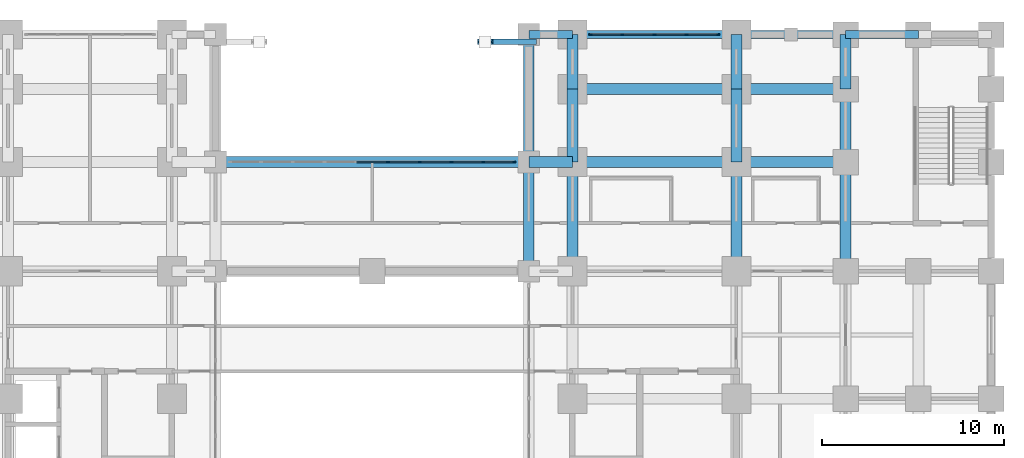
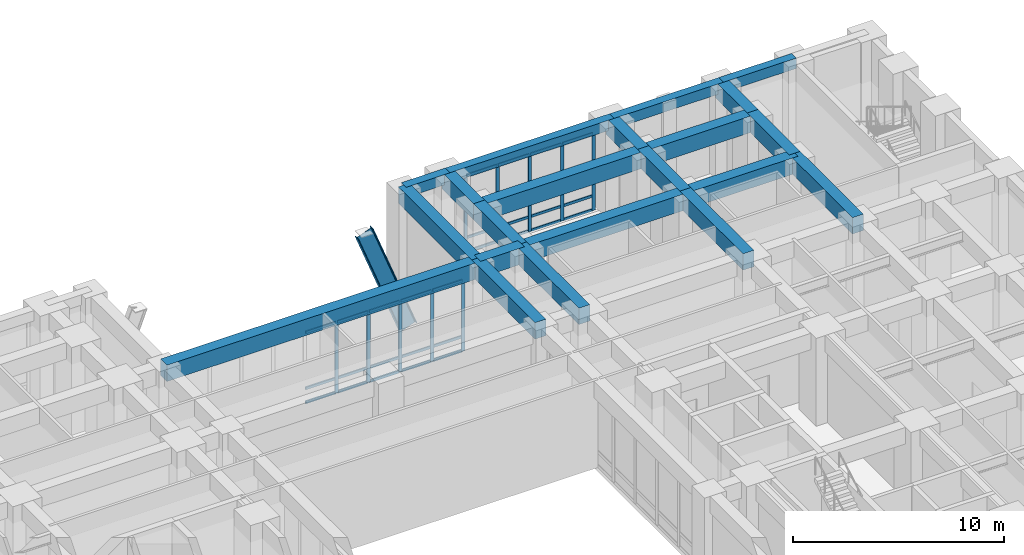
# One storey, part 7 of 23: 38 members, 21 beams, 2 elements without a shape of their own.
"""IFC4 building model written with IfcOpenShell, lengths in metres."""

from ifc_helpers import new_model, si_unit, direction, frame, origin, origin_2d, place, context, subcontext, project, spatial, rectangle, i_section, extrude, material, material_profile, profile_set, type_object, element, aggregate, save


model = new_model("IFC4")

# Units and contexts
model_context = context("Model", 3, precision=1e-05, world=origin(), true_north=direction((0.0, 1.0)))
body_context = subcontext(model_context, "Body", "Model", "MODEL_VIEW")
ifc_project = project(units=[si_unit("LENGTHUNIT", "METRE"), si_unit("AREAUNIT", "SQUARE_METRE"), si_unit("VOLUMEUNIT", "CUBIC_METRE"), si_unit("PLANEANGLEUNIT", "RADIAN"), si_unit("MASSUNIT", "GRAM", prefix="KILO")], contexts=[model_context])

# Site, building, storey
site_placement = place(None, origin())
site = spatial("IfcSite", under=ifc_project, at=site_placement, CompositionType="ELEMENT")
building_placement = place(site_placement, origin())
building = spatial("IfcBuilding", under=site, at=building_placement, Name="Zulmaris Gate Convention Tower", CompositionType="ELEMENT")
storey_placement = place(building_placement, frame((0.0, 0.0, 10.8798828125)))
storey = spatial("IfcBuildingStorey", under=building, at=storey_placement, Name="L02", CompositionType="ELEMENT", Elevation=10.8798828125)

# Beams
ifc_material_1 = material(Name="Concrete C60/75", Category="concrete")
ifc_material_profile_1 = material_profile(ifc_material_1, rectangle(XDim=0.60009765625, YDim=0.949951171875, at=origin_2d()), Name="RC BEAM 600x950")
ifc_profile_set_1 = profile_set([ifc_material_profile_1], Name="Concrete C60/75")
beam_type_1 = type_object("IfcBeamType", Name="BM-RC600x950", PredefinedType="BEAM", material=ifc_profile_set_1)
beam_1_placement = place(storey_placement, frame((-8.60009765625, 22.0, 4.615234375), z_axis=(1.0, 0.0, 0.0), x_axis=(0.0, 1.0, 0.0)))
element("IfcBeam", 1, at=beam_1_placement, inside=storey, type_object=beam_type_1, Name="L02 Beam BM-L02-X-+22.0--8.6", PredefinedType="BEAM", context=body_context, shape_type="SweptSolid", body=[
    extrude(rectangle(XDim=0.60009765625, YDim=0.949951171875, at=origin_2d()), origin(), (0.0, 0.0, 1.0), 17.2001953125),
])
beam_2_placement = place(storey_placement, frame((8.60009765625, 22.0, 4.615234375), z_axis=(1.0, 0.0, 0.0), x_axis=(0.0, 1.0, 0.0)))
element("IfcBeam", 2, at=beam_2_placement, inside=storey, type_object=beam_type_1, Name="L02 Beam BM-L02-X-+22.0-+8.6", PredefinedType="BEAM", context=body_context, shape_type="SweptSolid", body=[
    extrude(rectangle(XDim=0.60009765625, YDim=0.949951171875, at=origin_2d()), origin(), (0.0, 0.0, 1.0), 2.39990234375),
])
beam_3_placement = place(storey_placement, frame((11.0, 22.0, 4.615234375), z_axis=(1.0, 0.0, 0.0), x_axis=(0.0, 1.0, 0.0)))
element("IfcBeam", 3, at=beam_3_placement, inside=storey, type_object=beam_type_1, Name="L02 Beam BM-L02-X-+22.0-+11.0", PredefinedType="BEAM", context=body_context, shape_type="SweptSolid", body=[
    extrude(rectangle(XDim=0.60009765625, YDim=0.949951171875, at=origin_2d()), origin(), (0.0, 0.0, 1.0), 9.0),
])
beam_4_placement = place(storey_placement, frame((20.0, 22.0, 4.615234375), z_axis=(1.0, 0.0, 0.0), x_axis=(0.0, 1.0, 0.0)))
element("IfcBeam", 4, at=beam_4_placement, inside=storey, type_object=beam_type_1, Name="L02 Beam BM-L02-X-+22.0-+20.0", PredefinedType="BEAM", context=body_context, shape_type="SweptSolid", body=[
    extrude(rectangle(XDim=0.60009765625, YDim=0.949951171875, at=origin_2d()), origin(), (0.0, 0.0, 1.0), 6.0),
])
beam_5_placement = place(storey_placement, frame((11.0, 26.0, 4.615234375), z_axis=(1.0, 0.0, 0.0), x_axis=(0.0, 1.0, 0.0)))
element("IfcBeam", 5, at=beam_5_placement, inside=storey, type_object=beam_type_1, Name="L02 Beam BM-L02-X-+26.0-+11.0", PredefinedType="BEAM", context=body_context, shape_type="SweptSolid", body=[
    extrude(rectangle(XDim=0.60009765625, YDim=0.949951171875, at=origin_2d()), origin(), (0.0, 0.0, 1.0), 9.0),
])
for number, where, z_axis, x_axis, name in (
    (6, (20.0, 26.0, 4.615234375), (1.0, 0.0, 0.0), (0.0, 1.0, 0.0), "L02 Beam BM-L02-X-+26.0-+20.0"),
    (7, (8.60009765625, 16.0, 4.615234375), (0.0, 1.0, 0.0), (-1.0, 0.0, 0.0), "L02 Beam BM-L02-Y-+8.6-+16.0"),
):
    element("IfcBeam", number, at=place(storey_placement, frame(where, z_axis=z_axis, x_axis=x_axis)), inside=storey, type_object=beam_type_1, Name=name, PredefinedType="BEAM", context=body_context, shape_type="SweptSolid", body=[
        extrude(rectangle(XDim=0.60009765625, YDim=0.949951171875, at=origin_2d()), origin(), (0.0, 0.0, 1.0), 6.0),
    ])
beam_6_placement = place(storey_placement, frame((8.60009765625, 22.0, 4.615234375), z_axis=(0.0, 1.0, 0.0), x_axis=(-1.0, 0.0, 0.0)))
element("IfcBeam", 8, at=beam_6_placement, inside=storey, type_object=beam_type_1, Name="L02 Beam BM-L02-Y-+8.6-+22.0", PredefinedType="BEAM", context=body_context, shape_type="SweptSolid", body=[
    extrude(rectangle(XDim=0.60009765625, YDim=0.949951171875, at=origin_2d()), origin(), (0.0, 0.0, 1.0), 7.0),
])
beam_7_placement = place(storey_placement, frame((11.0, 16.0, 4.615234375), z_axis=(0.0, 1.0, 0.0), x_axis=(-1.0, 0.0, 0.0)))
element("IfcBeam", 9, at=beam_7_placement, inside=storey, type_object=beam_type_1, Name="L02 Beam BM-L02-Y-+11.0-+16.0", PredefinedType="BEAM", context=body_context, shape_type="SweptSolid", body=[
    extrude(rectangle(XDim=0.60009765625, YDim=0.949951171875, at=origin_2d()), origin(), (0.0, 0.0, 1.0), 6.0),
])
beam_8_placement = place(storey_placement, frame((11.0, 22.0, 4.615234375), z_axis=(0.0, 1.0, 0.0), x_axis=(-1.0, 0.0, 0.0)))
element("IfcBeam", 10, at=beam_8_placement, inside=storey, type_object=beam_type_1, Name="L02 Beam BM-L02-Y-+11.0-+22.0", PredefinedType="BEAM", context=body_context, shape_type="SweptSolid", body=[
    extrude(rectangle(XDim=0.60009765625, YDim=0.949951171875, at=origin_2d()), origin(), (0.0, 0.0, 1.0), 4.0),
])
beam_9_placement = place(storey_placement, frame((11.0, 26.0, 4.615234375), z_axis=(0.0, 1.0, 0.0), x_axis=(-1.0, 0.0, 0.0)))
element("IfcBeam", 11, at=beam_9_placement, inside=storey, type_object=beam_type_1, Name="L02 Beam BM-L02-Y-+11.0-+26.0", PredefinedType="BEAM", context=body_context, shape_type="SweptSolid", body=[
    extrude(rectangle(XDim=0.60009765625, YDim=0.949951171875, at=origin_2d()), origin(), (0.0, 0.0, 1.0), 3.0),
])
beam_10_placement = place(storey_placement, frame((20.0, 16.0, 4.615234375), z_axis=(0.0, 1.0, 0.0), x_axis=(-1.0, 0.0, 0.0)))
element("IfcBeam", 12, at=beam_10_placement, inside=storey, type_object=beam_type_1, Name="L02 Beam BM-L02-Y-+20.0-+16.0", PredefinedType="BEAM", context=body_context, shape_type="SweptSolid", body=[
    extrude(rectangle(XDim=0.60009765625, YDim=0.949951171875, at=origin_2d()), origin(), (0.0, 0.0, 1.0), 6.0),
])
beam_11_placement = place(storey_placement, frame((20.0, 22.0, 4.615234375), z_axis=(0.0, 1.0, 0.0), x_axis=(-1.0, 0.0, 0.0)))
element("IfcBeam", 13, at=beam_11_placement, inside=storey, type_object=beam_type_1, Name="L02 Beam BM-L02-Y-+20.0-+22.0", PredefinedType="BEAM", context=body_context, shape_type="SweptSolid", body=[
    extrude(rectangle(XDim=0.60009765625, YDim=0.949951171875, at=origin_2d()), origin(), (0.0, 0.0, 1.0), 4.0),
])
beam_12_placement = place(storey_placement, frame((20.0, 26.0, 4.615234375), z_axis=(0.0, 1.0, 0.0), x_axis=(-1.0, 0.0, 0.0)))
element("IfcBeam", 14, at=beam_12_placement, inside=storey, type_object=beam_type_1, Name="L02 Beam BM-L02-Y-+20.0-+26.0", PredefinedType="BEAM", context=body_context, shape_type="SweptSolid", body=[
    extrude(rectangle(XDim=0.60009765625, YDim=0.949951171875, at=origin_2d()), origin(), (0.0, 0.0, 1.0), 3.0),
])
beam_13_placement = place(storey_placement, frame((26.0, 16.0, 4.615234375), z_axis=(0.0, 1.0, 0.0), x_axis=(-1.0, 0.0, 0.0)))
element("IfcBeam", 15, at=beam_13_placement, inside=storey, type_object=beam_type_1, Name="L02 Beam BM-L02-Y-+26.0-+16.0", PredefinedType="BEAM", context=body_context, shape_type="SweptSolid", body=[
    extrude(rectangle(XDim=0.60009765625, YDim=0.949951171875, at=origin_2d()), origin(), (0.0, 0.0, 1.0), 6.0),
])
beam_14_placement = place(storey_placement, frame((26.0, 22.0, 4.615234375), z_axis=(0.0, 1.0, 0.0), x_axis=(-1.0, 0.0, 0.0)))
element("IfcBeam", 16, at=beam_14_placement, inside=storey, type_object=beam_type_1, Name="L02 Beam BM-L02-Y-+26.0-+22.0", PredefinedType="BEAM", context=body_context, shape_type="SweptSolid", body=[
    extrude(rectangle(XDim=0.60009765625, YDim=0.949951171875, at=origin_2d()), origin(), (0.0, 0.0, 1.0), 4.0),
])
beam_15_placement = place(storey_placement, frame((26.0, 26.0, 4.615234375), z_axis=(0.0, 1.0, 0.0), x_axis=(-1.0, 0.0, 0.0)))
element("IfcBeam", 17, at=beam_15_placement, inside=storey, type_object=beam_type_1, Name="L02 Beam BM-L02-Y-+26.0-+26.0", PredefinedType="BEAM", context=body_context, shape_type="SweptSolid", body=[
    extrude(rectangle(XDim=0.60009765625, YDim=0.949951171875, at=origin_2d()), origin(), (0.0, 0.0, 1.0), 3.0),
])
ifc_material_2 = material(Name="Precast concrete C50/60", Category="concrete")
ifc_material_profile_2 = material_profile(ifc_material_2, rectangle(XDim=0.449951171875, YDim=0.60009765625, at=origin_2d()), Name="RC SPANDREL 450x600")
ifc_profile_set_2 = profile_set([ifc_material_profile_2], Name="Precast concrete C50/60")
beam_type_2 = type_object("IfcBeamType", Name="BM-SP450x600", PredefinedType="SPANDREL", material=ifc_profile_set_2)
beam_16_placement = place(storey_placement, frame((8.60009765625, 29.0, 4.790283203125), z_axis=(1.0, 0.0, 0.0), x_axis=(0.0, 1.0, 0.0)))
element("IfcBeam", 18, at=beam_16_placement, inside=storey, type_object=beam_type_2, Name="L02 Spandrel BM-L02-X-+29.0-+8.6", PredefinedType="SPANDREL", context=body_context, shape_type="SweptSolid", body=[
    extrude(rectangle(XDim=0.449951171875, YDim=0.60009765625, at=origin_2d()), origin(), (0.0, 0.0, 1.0), 2.39990234375),
])
beam_17_placement = place(storey_placement, frame((11.0, 29.0, 4.790283203125), z_axis=(1.0, 0.0, 0.0), x_axis=(0.0, 1.0, 0.0)))
element("IfcBeam", 19, at=beam_17_placement, inside=storey, type_object=beam_type_2, Name="L02 Spandrel BM-L02-X-+29.0-+11.0", PredefinedType="SPANDREL", context=body_context, shape_type="SweptSolid", body=[
    extrude(rectangle(XDim=0.449951171875, YDim=0.60009765625, at=origin_2d()), origin(), (0.0, 0.0, 1.0), 9.0),
])
beam_18_placement = place(storey_placement, frame((20.0, 29.0, 4.790283203125), z_axis=(1.0, 0.0, 0.0), x_axis=(0.0, 1.0, 0.0)))
element("IfcBeam", 20, at=beam_18_placement, inside=storey, type_object=beam_type_2, Name="L02 Spandrel BM-L02-X-+29.0-+20.0", PredefinedType="SPANDREL", context=body_context, shape_type="SweptSolid", body=[
    extrude(rectangle(XDim=0.449951171875, YDim=0.60009765625, at=origin_2d()), origin(), (0.0, 0.0, 1.0), 6.0),
])
beam_19_placement = place(storey_placement, frame((26.0, 29.0, 4.790283203125), z_axis=(1.0, 0.0, 0.0), x_axis=(0.0, 1.0, 0.0)))
element("IfcBeam", 21, at=beam_19_placement, inside=storey, type_object=beam_type_2, Name="L02 Spandrel BM-L02-X-+29.0-+26.0", PredefinedType="SPANDREL", context=body_context, shape_type="SweptSolid", body=[
    extrude(rectangle(XDim=0.449951171875, YDim=0.60009765625, at=origin_2d()), origin(), (0.0, 0.0, 1.0), 4.0),
])

# Member
ifc_material_3 = material(Name="Steel S460", Category="steel")
ifc_material_profile_3 = material_profile(ifc_material_3, i_section(OverallWidth=0.302001953125, OverallDepth=0.909912109375, WebThickness=0.02099609375, FlangeThickness=0.0400390625, FilletRadius=0.030029296875, at=origin_2d()), Name="HEM 900")
ifc_profile_set_3 = profile_set([ifc_material_profile_3], Name="Steel S460")
member_type_1 = type_object("IfcMemberType", Name="CH-HEM900", PredefinedType="CHORD", material=ifc_profile_set_3)
member_1_placement = place(storey_placement, frame((6.199951171875, 28.60009765625, 3.420166015625), z_axis=(0.356011892382, 0.0, -0.934481424365), x_axis=(0.0, 1.0, 0.0)))
element("IfcMember", 22, at=member_1_placement, inside=storey, type_object=member_type_1, Name="Pishtaq Arch Rib N-6", PredefinedType="CHORD", context=body_context, shape_type="SweptSolid", body=[
    extrude(i_section(OverallWidth=0.302001953125, OverallDepth=0.909912109375, WebThickness=0.02099609375, FlangeThickness=0.0400390625, FilletRadius=0.030029296875, at=origin_2d()), origin(), (0.0, 0.0, 1.0), 6.74169921875),
])

# Curtain wall, members
ifc_material_4 = material(Name="Anodised Aluminium", Category="aluminium")
curtain_wall_type = type_object("IfcCurtainWallType", Name="CW-03", PredefinedType="NOTDEFINED", material=ifc_material_4)
curtain_wall_1_placement = place(storey_placement, origin())
curtain_wall_1 = element("IfcCurtainWall", 23, at=curtain_wall_1_placement, inside=storey, type_object=curtain_wall_type, Name="CW-03 CW03-L02-N11_0", PredefinedType="NOTDEFINED")
ifc_material_profile_4 = material_profile(ifc_material_4, rectangle(XDim=0.074951171875, YDim=0.179931640625, at=origin_2d()), Name="ALU MULLION 75x180")
ifc_profile_set_4 = profile_set([ifc_material_profile_4], Name="Anodised Aluminium")
member_type_2 = type_object("IfcMemberType", Name="CW-03-MULL", PredefinedType="MULLION", material=ifc_profile_set_4)
member_2_placement = place(storey_placement, frame((19.00244140625, 29.0, 0.0), z_axis=(0.0, 0.0, 1.0), x_axis=(0.0, -1.0, 0.0)))
member_2 = element("IfcMember", 24, at=member_2_placement, type_object=member_type_2, Name="CW-03 mullion 1", PredefinedType="MULLION", context=body_context, shape_type="SweptSolid", body=[
    extrude(rectangle(XDim=0.074951171875, YDim=0.179931640625, at=origin_2d()), origin(), (0.0, 0.0, 1.0), 4.482177734375),
])
member_3_placement = place(storey_placement, frame((17.27001953125, 29.0, 0.0), z_axis=(0.0, 0.0, 1.0), x_axis=(0.0, -1.0, 0.0)))
member_3 = element("IfcMember", 25, at=member_3_placement, type_object=member_type_2, Name="CW-03 mullion 2", PredefinedType="MULLION", context=body_context, shape_type="SweptSolid", body=[
    extrude(rectangle(XDim=0.074951171875, YDim=0.179931640625, at=origin_2d()), origin(), (0.0, 0.0, 1.0), 4.482177734375),
])
member_4_placement = place(storey_placement, frame((15.5, 29.0, 0.0), z_axis=(0.0, 0.0, 1.0), x_axis=(0.0, -1.0, 0.0)))
member_4 = element("IfcMember", 26, at=member_4_placement, type_object=member_type_2, Name="CW-03 mullion 3", PredefinedType="MULLION", context=body_context, shape_type="SweptSolid", body=[
    extrude(rectangle(XDim=0.074951171875, YDim=0.179931640625, at=origin_2d()), origin(), (0.0, 0.0, 1.0), 4.482177734375),
])
member_5_placement = place(storey_placement, frame((13.72998046875, 29.0, 0.0), z_axis=(0.0, 0.0, 1.0), x_axis=(0.0, -1.0, 0.0)))
member_5 = element("IfcMember", 27, at=member_5_placement, type_object=member_type_2, Name="CW-03 mullion 4", PredefinedType="MULLION", context=body_context, shape_type="SweptSolid", body=[
    extrude(rectangle(XDim=0.074951171875, YDim=0.179931640625, at=origin_2d()), origin(), (0.0, 0.0, 1.0), 4.482177734375),
])
member_6_placement = place(storey_placement, frame((11.99755859375, 29.0, 0.0), z_axis=(0.0, 0.0, 1.0), x_axis=(0.0, -1.0, 0.0)))
member_6 = element("IfcMember", 28, at=member_6_placement, type_object=member_type_2, Name="CW-03 mullion 5", PredefinedType="MULLION", context=body_context, shape_type="SweptSolid", body=[
    extrude(rectangle(XDim=0.074951171875, YDim=0.179931640625, at=origin_2d()), origin(), (0.0, 0.0, 1.0), 4.482177734375),
])

curtain_wall_2_placement = place(storey_placement, origin())
curtain_wall_2 = element("IfcCurtainWall", 29, at=curtain_wall_2_placement, inside=storey, type_object=curtain_wall_type, Name="CW-03 CW03-L02-NARCH_0", PredefinedType="NOTDEFINED")
member_7_placement = place(storey_placement, frame((7.802490234375, 22.0, 0.0), z_axis=(0.0, 0.0, 1.0), x_axis=(0.0, -1.0, 0.0)))
member_7 = element("IfcMember", 30, at=member_7_placement, type_object=member_type_2, Name="CW-03 mullion 1", PredefinedType="MULLION", context=body_context, shape_type="SweptSolid", body=[
    extrude(rectangle(XDim=0.074951171875, YDim=0.179931640625, at=origin_2d()), origin(), (0.0, 0.0, 1.0), 4.13232421875),
])
member_8_placement = place(storey_placement, frame((6.09765625, 22.0, 0.0), z_axis=(0.0, 0.0, 1.0), x_axis=(0.0, -1.0, 0.0)))
member_8 = element("IfcMember", 31, at=member_8_placement, type_object=member_type_2, Name="CW-03 mullion 2", PredefinedType="MULLION", context=body_context, shape_type="SweptSolid", body=[
    extrude(rectangle(XDim=0.074951171875, YDim=0.179931640625, at=origin_2d()), origin(), (0.0, 0.0, 1.0), 4.13232421875),
])
member_9_placement = place(storey_placement, frame((4.35546875, 22.0, 0.0), z_axis=(0.0, 0.0, 1.0), x_axis=(0.0, -1.0, 0.0)))
member_9 = element("IfcMember", 32, at=member_9_placement, type_object=member_type_2, Name="CW-03 mullion 3", PredefinedType="MULLION", context=body_context, shape_type="SweptSolid", body=[
    extrude(rectangle(XDim=0.074951171875, YDim=0.179931640625, at=origin_2d()), origin(), (0.0, 0.0, 1.0), 4.13232421875),
])
member_10_placement = place(storey_placement, frame((2.61328125, 22.0, 0.0), z_axis=(0.0, 0.0, 1.0), x_axis=(0.0, -1.0, 0.0)))
member_10 = element("IfcMember", 33, at=member_10_placement, type_object=member_type_2, Name="CW-03 mullion 4", PredefinedType="MULLION", context=body_context, shape_type="SweptSolid", body=[
    extrude(rectangle(XDim=0.074951171875, YDim=0.179931640625, at=origin_2d()), origin(), (0.0, 0.0, 1.0), 4.13232421875),
])
member_11_placement = place(storey_placement, frame((0.87109375, 22.0, 0.0), z_axis=(0.0, 0.0, 1.0), x_axis=(0.0, -1.0, 0.0)))
member_11 = element("IfcMember", 34, at=member_11_placement, type_object=member_type_2, Name="CW-03 mullion 5", PredefinedType="MULLION", context=body_context, shape_type="SweptSolid", body=[
    extrude(rectangle(XDim=0.074951171875, YDim=0.179931640625, at=origin_2d()), origin(), (0.0, 0.0, 1.0), 4.13232421875),
])

# Member
ifc_material_profile_5 = material_profile(ifc_material_4, rectangle(XDim=0.074951171875, YDim=0.14990234375, at=origin_2d()), Name="ALU TRANSOM 75x150")
ifc_profile_set_5 = profile_set([ifc_material_profile_5], Name="Anodised Aluminium")
member_type_3 = type_object("IfcMemberType", Name="CW-03-TRAN", PredefinedType="USERDEFINED", material=ifc_profile_set_5)
member_12_placement = place(storey_placement, frame((18.965087890625, 29.0, 0.03759765625), z_axis=(-1.0, 0.0, 0.0), x_axis=(0.0, -1.0, 0.0)))
member_12 = element("IfcMember", 35, at=member_12_placement, type_object=member_type_3, Name="CW-03 transom 1.1", ObjectType="TRANSOM", PredefinedType="USERDEFINED", context=body_context, shape_type="SweptSolid", body=[
    extrude(rectangle(XDim=0.074951171875, YDim=0.14990234375, at=origin_2d()), origin(), (0.0, 0.0, 1.0), 1.657470703125),
])

member_13_placement = place(storey_placement, frame((18.965087890625, 29.0, 0.85009765625), z_axis=(-1.0, 0.0, 0.0), x_axis=(0.0, -1.0, 0.0)))
member_13 = element("IfcMember", 36, at=member_13_placement, type_object=member_type_3, Name="CW-03 transom 1.2", ObjectType="TRANSOM", PredefinedType="USERDEFINED", context=body_context, shape_type="SweptSolid", body=[
    extrude(rectangle(XDim=0.074951171875, YDim=0.14990234375, at=origin_2d()), origin(), (0.0, 0.0, 1.0), 1.657470703125),
])

member_14_placement = place(storey_placement, frame((18.965087890625, 29.0, 4.44482421875), z_axis=(-1.0, 0.0, 0.0), x_axis=(0.0, -1.0, 0.0)))
member_14 = element("IfcMember", 37, at=member_14_placement, type_object=member_type_3, Name="CW-03 transom 1.3", ObjectType="TRANSOM", PredefinedType="USERDEFINED", context=body_context, shape_type="SweptSolid", body=[
    extrude(rectangle(XDim=0.074951171875, YDim=0.14990234375, at=origin_2d()), origin(), (0.0, 0.0, 1.0), 1.657470703125),
])

member_15_placement = place(storey_placement, frame((17.232421875, 29.0, 0.03759765625), z_axis=(-1.0, 0.0, 0.0), x_axis=(0.0, -1.0, 0.0)))
member_15 = element("IfcMember", 38, at=member_15_placement, type_object=member_type_3, Name="CW-03 transom 2.1", ObjectType="TRANSOM", PredefinedType="USERDEFINED", context=body_context, shape_type="SweptSolid", body=[
    extrude(rectangle(XDim=0.074951171875, YDim=0.14990234375, at=origin_2d()), origin(), (0.0, 0.0, 1.0), 1.69482421875),
])

member_16_placement = place(storey_placement, frame((17.232421875, 29.0, 0.85009765625), z_axis=(-1.0, 0.0, 0.0), x_axis=(0.0, -1.0, 0.0)))
member_16 = element("IfcMember", 39, at=member_16_placement, type_object=member_type_3, Name="CW-03 transom 2.2", ObjectType="TRANSOM", PredefinedType="USERDEFINED", context=body_context, shape_type="SweptSolid", body=[
    extrude(rectangle(XDim=0.074951171875, YDim=0.14990234375, at=origin_2d()), origin(), (0.0, 0.0, 1.0), 1.69482421875),
])

member_17_placement = place(storey_placement, frame((17.232421875, 29.0, 4.44482421875), z_axis=(-1.0, 0.0, 0.0), x_axis=(0.0, -1.0, 0.0)))
member_17 = element("IfcMember", 40, at=member_17_placement, type_object=member_type_3, Name="CW-03 transom 2.3", ObjectType="TRANSOM", PredefinedType="USERDEFINED", context=body_context, shape_type="SweptSolid", body=[
    extrude(rectangle(XDim=0.074951171875, YDim=0.14990234375, at=origin_2d()), origin(), (0.0, 0.0, 1.0), 1.69482421875),
])

member_18_placement = place(storey_placement, frame((15.46240234375, 29.0, 0.03759765625), z_axis=(-1.0, 0.0, 0.0), x_axis=(0.0, -1.0, 0.0)))
member_18 = element("IfcMember", 41, at=member_18_placement, type_object=member_type_3, Name="CW-03 transom 3.1", ObjectType="TRANSOM", PredefinedType="USERDEFINED", context=body_context, shape_type="SweptSolid", body=[
    extrude(rectangle(XDim=0.074951171875, YDim=0.14990234375, at=origin_2d()), origin(), (0.0, 0.0, 1.0), 1.69482421875),
])

member_19_placement = place(storey_placement, frame((15.46240234375, 29.0, 0.85009765625), z_axis=(-1.0, 0.0, 0.0), x_axis=(0.0, -1.0, 0.0)))
member_19 = element("IfcMember", 42, at=member_19_placement, type_object=member_type_3, Name="CW-03 transom 3.2", ObjectType="TRANSOM", PredefinedType="USERDEFINED", context=body_context, shape_type="SweptSolid", body=[
    extrude(rectangle(XDim=0.074951171875, YDim=0.14990234375, at=origin_2d()), origin(), (0.0, 0.0, 1.0), 1.69482421875),
])

member_20_placement = place(storey_placement, frame((15.46240234375, 29.0, 4.44482421875), z_axis=(-1.0, 0.0, 0.0), x_axis=(0.0, -1.0, 0.0)))
member_20 = element("IfcMember", 43, at=member_20_placement, type_object=member_type_3, Name="CW-03 transom 3.3", ObjectType="TRANSOM", PredefinedType="USERDEFINED", context=body_context, shape_type="SweptSolid", body=[
    extrude(rectangle(XDim=0.074951171875, YDim=0.14990234375, at=origin_2d()), origin(), (0.0, 0.0, 1.0), 1.69482421875),
])

member_21_placement = place(storey_placement, frame((13.6923828125, 29.0, 0.03759765625), z_axis=(-1.0, 0.0, 0.0), x_axis=(0.0, -1.0, 0.0)))
member_21 = element("IfcMember", 44, at=member_21_placement, type_object=member_type_3, Name="CW-03 transom 4.1", ObjectType="TRANSOM", PredefinedType="USERDEFINED", context=body_context, shape_type="SweptSolid", body=[
    extrude(rectangle(XDim=0.074951171875, YDim=0.14990234375, at=origin_2d()), origin(), (0.0, 0.0, 1.0), 1.657470703125),
])

member_22_placement = place(storey_placement, frame((13.6923828125, 29.0, 0.85009765625), z_axis=(-1.0, 0.0, 0.0), x_axis=(0.0, -1.0, 0.0)))
member_22 = element("IfcMember", 45, at=member_22_placement, type_object=member_type_3, Name="CW-03 transom 4.2", ObjectType="TRANSOM", PredefinedType="USERDEFINED", context=body_context, shape_type="SweptSolid", body=[
    extrude(rectangle(XDim=0.074951171875, YDim=0.14990234375, at=origin_2d()), origin(), (0.0, 0.0, 1.0), 1.657470703125),
])

member_23_placement = place(storey_placement, frame((13.6923828125, 29.0, 4.44482421875), z_axis=(-1.0, 0.0, 0.0), x_axis=(0.0, -1.0, 0.0)))
member_23 = element("IfcMember", 46, at=member_23_placement, type_object=member_type_3, Name="CW-03 transom 4.3", ObjectType="TRANSOM", PredefinedType="USERDEFINED", context=body_context, shape_type="SweptSolid", body=[
    extrude(rectangle(XDim=0.074951171875, YDim=0.14990234375, at=origin_2d()), origin(), (0.0, 0.0, 1.0), 1.657470703125),
])

aggregate(curtain_wall_1, [member_2, member_3, member_4, member_5, member_6, member_12, member_13, member_14, member_15, member_16, member_17, member_18, member_19, member_20, member_21, member_22, member_23])

member_24_placement = place(storey_placement, frame((7.764892578125, 22.0, 0.03759765625), z_axis=(-1.0, 0.0, 0.0), x_axis=(0.0, -1.0, 0.0)))
member_24 = element("IfcMember", 47, at=member_24_placement, type_object=member_type_3, Name="CW-03 transom 1.1", ObjectType="TRANSOM", PredefinedType="USERDEFINED", context=body_context, shape_type="SweptSolid", body=[
    extrude(rectangle(XDim=0.074951171875, YDim=0.14990234375, at=origin_2d()), origin(), (0.0, 0.0, 1.0), 1.629638671875),
])

member_25_placement = place(storey_placement, frame((7.764892578125, 22.0, 0.85009765625), z_axis=(-1.0, 0.0, 0.0), x_axis=(0.0, -1.0, 0.0)))
member_25 = element("IfcMember", 48, at=member_25_placement, type_object=member_type_3, Name="CW-03 transom 1.2", ObjectType="TRANSOM", PredefinedType="USERDEFINED", context=body_context, shape_type="SweptSolid", body=[
    extrude(rectangle(XDim=0.074951171875, YDim=0.14990234375, at=origin_2d()), origin(), (0.0, 0.0, 1.0), 1.629638671875),
])

member_26_placement = place(storey_placement, frame((7.764892578125, 22.0, 4.0947265625), z_axis=(-1.0, 0.0, 0.0), x_axis=(0.0, -1.0, 0.0)))
member_26 = element("IfcMember", 49, at=member_26_placement, type_object=member_type_3, Name="CW-03 transom 1.3", ObjectType="TRANSOM", PredefinedType="USERDEFINED", context=body_context, shape_type="SweptSolid", body=[
    extrude(rectangle(XDim=0.074951171875, YDim=0.14990234375, at=origin_2d()), origin(), (0.0, 0.0, 1.0), 1.629638671875),
])

member_27_placement = place(storey_placement, frame((6.060302734375, 22.0, 0.03759765625), z_axis=(-1.0, 0.0, 0.0), x_axis=(0.0, -1.0, 0.0)))
member_27 = element("IfcMember", 50, at=member_27_placement, type_object=member_type_3, Name="CW-03 transom 2.1", ObjectType="TRANSOM", PredefinedType="USERDEFINED", context=body_context, shape_type="SweptSolid", body=[
    extrude(rectangle(XDim=0.074951171875, YDim=0.14990234375, at=origin_2d()), origin(), (0.0, 0.0, 1.0), 1.667236328125),
])

member_28_placement = place(storey_placement, frame((6.060302734375, 22.0, 0.85009765625), z_axis=(-1.0, 0.0, 0.0), x_axis=(0.0, -1.0, 0.0)))
member_28 = element("IfcMember", 51, at=member_28_placement, type_object=member_type_3, Name="CW-03 transom 2.2", ObjectType="TRANSOM", PredefinedType="USERDEFINED", context=body_context, shape_type="SweptSolid", body=[
    extrude(rectangle(XDim=0.074951171875, YDim=0.14990234375, at=origin_2d()), origin(), (0.0, 0.0, 1.0), 1.667236328125),
])

member_29_placement = place(storey_placement, frame((6.060302734375, 22.0, 4.0947265625), z_axis=(-1.0, 0.0, 0.0), x_axis=(0.0, -1.0, 0.0)))
member_29 = element("IfcMember", 52, at=member_29_placement, type_object=member_type_3, Name="CW-03 transom 2.3", ObjectType="TRANSOM", PredefinedType="USERDEFINED", context=body_context, shape_type="SweptSolid", body=[
    extrude(rectangle(XDim=0.074951171875, YDim=0.14990234375, at=origin_2d()), origin(), (0.0, 0.0, 1.0), 1.667236328125),
])

member_30_placement = place(storey_placement, frame((4.318115234375, 22.0, 0.03759765625), z_axis=(-1.0, 0.0, 0.0), x_axis=(0.0, -1.0, 0.0)))
member_30 = element("IfcMember", 53, at=member_30_placement, type_object=member_type_3, Name="CW-03 transom 3.1", ObjectType="TRANSOM", PredefinedType="USERDEFINED", context=body_context, shape_type="SweptSolid", body=[
    extrude(rectangle(XDim=0.074951171875, YDim=0.14990234375, at=origin_2d()), origin(), (0.0, 0.0, 1.0), 1.667236328125),
])

member_31_placement = place(storey_placement, frame((4.318115234375, 22.0, 0.85009765625), z_axis=(-1.0, 0.0, 0.0), x_axis=(0.0, -1.0, 0.0)))
member_31 = element("IfcMember", 54, at=member_31_placement, type_object=member_type_3, Name="CW-03 transom 3.2", ObjectType="TRANSOM", PredefinedType="USERDEFINED", context=body_context, shape_type="SweptSolid", body=[
    extrude(rectangle(XDim=0.074951171875, YDim=0.14990234375, at=origin_2d()), origin(), (0.0, 0.0, 1.0), 1.667236328125),
])

member_32_placement = place(storey_placement, frame((4.318115234375, 22.0, 4.0947265625), z_axis=(-1.0, 0.0, 0.0), x_axis=(0.0, -1.0, 0.0)))
member_32 = element("IfcMember", 55, at=member_32_placement, type_object=member_type_3, Name="CW-03 transom 3.3", ObjectType="TRANSOM", PredefinedType="USERDEFINED", context=body_context, shape_type="SweptSolid", body=[
    extrude(rectangle(XDim=0.074951171875, YDim=0.14990234375, at=origin_2d()), origin(), (0.0, 0.0, 1.0), 1.667236328125),
])

member_33_placement = place(storey_placement, frame((2.575927734375, 22.0, 0.03759765625), z_axis=(-1.0, 0.0, 0.0), x_axis=(0.0, -1.0, 0.0)))
member_33 = element("IfcMember", 56, at=member_33_placement, type_object=member_type_3, Name="CW-03 transom 4.1", ObjectType="TRANSOM", PredefinedType="USERDEFINED", context=body_context, shape_type="SweptSolid", body=[
    extrude(rectangle(XDim=0.074951171875, YDim=0.14990234375, at=origin_2d()), origin(), (0.0, 0.0, 1.0), 1.667236328125),
])

member_34_placement = place(storey_placement, frame((2.575927734375, 22.0, 0.85009765625), z_axis=(-1.0, 0.0, 0.0), x_axis=(0.0, -1.0, 0.0)))
member_34 = element("IfcMember", 57, at=member_34_placement, type_object=member_type_3, Name="CW-03 transom 4.2", ObjectType="TRANSOM", PredefinedType="USERDEFINED", context=body_context, shape_type="SweptSolid", body=[
    extrude(rectangle(XDim=0.074951171875, YDim=0.14990234375, at=origin_2d()), origin(), (0.0, 0.0, 1.0), 1.667236328125),
])

member_35_placement = place(storey_placement, frame((2.575927734375, 22.0, 4.0947265625), z_axis=(-1.0, 0.0, 0.0), x_axis=(0.0, -1.0, 0.0)))
member_35 = element("IfcMember", 58, at=member_35_placement, type_object=member_type_3, Name="CW-03 transom 4.3", ObjectType="TRANSOM", PredefinedType="USERDEFINED", context=body_context, shape_type="SweptSolid", body=[
    extrude(rectangle(XDim=0.074951171875, YDim=0.14990234375, at=origin_2d()), origin(), (0.0, 0.0, 1.0), 1.667236328125),
])

member_36_placement = place(storey_placement, frame((0.83349609375, 22.0, 0.03759765625), z_axis=(-1.0, 0.0, 0.0), x_axis=(0.0, -1.0, 0.0)))
member_36 = element("IfcMember", 59, at=member_36_placement, type_object=member_type_3, Name="CW-03 transom 5.1", ObjectType="TRANSOM", PredefinedType="USERDEFINED", context=body_context, shape_type="SweptSolid", body=[
    extrude(rectangle(XDim=0.074951171875, YDim=0.14990234375, at=origin_2d()), origin(), (0.0, 0.0, 1.0), 1.6669921875),
])

member_37_placement = place(storey_placement, frame((0.83349609375, 22.0, 0.85009765625), z_axis=(-1.0, 0.0, 0.0), x_axis=(0.0, -1.0, 0.0)))
member_37 = element("IfcMember", 60, at=member_37_placement, type_object=member_type_3, Name="CW-03 transom 5.2", ObjectType="TRANSOM", PredefinedType="USERDEFINED", context=body_context, shape_type="SweptSolid", body=[
    extrude(rectangle(XDim=0.074951171875, YDim=0.14990234375, at=origin_2d()), origin(), (0.0, 0.0, 1.0), 1.6669921875),
])

member_38_placement = place(storey_placement, frame((0.83349609375, 22.0, 4.0947265625), z_axis=(-1.0, 0.0, 0.0), x_axis=(0.0, -1.0, 0.0)))
member_38 = element("IfcMember", 61, at=member_38_placement, type_object=member_type_3, Name="CW-03 transom 5.3", ObjectType="TRANSOM", PredefinedType="USERDEFINED", context=body_context, shape_type="SweptSolid", body=[
    extrude(rectangle(XDim=0.074951171875, YDim=0.14990234375, at=origin_2d()), origin(), (0.0, 0.0, 1.0), 1.6669921875),
])

aggregate(curtain_wall_2, [member_7, member_8, member_9, member_10, member_11, member_24, member_25, member_26, member_27, member_28, member_29, member_30, member_31, member_32, member_33, member_34, member_35, member_36, member_37, member_38])

save(model, "model.ifc")
